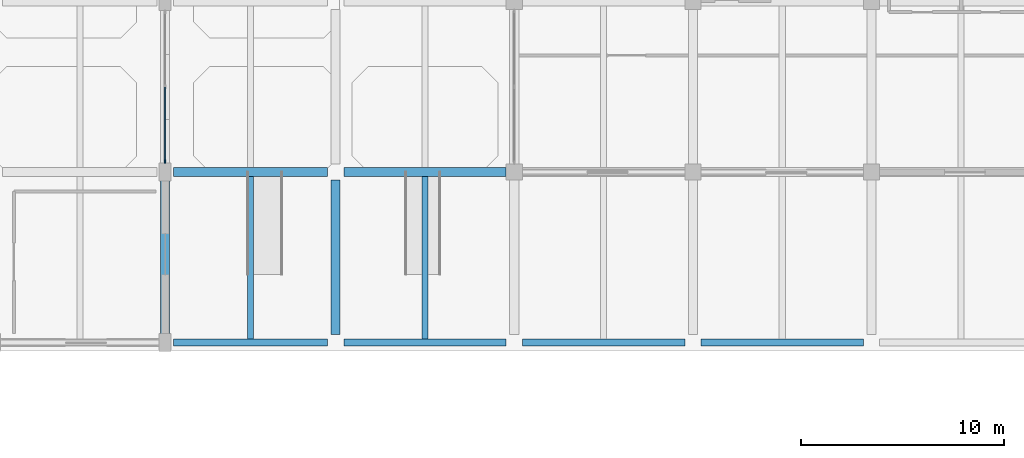
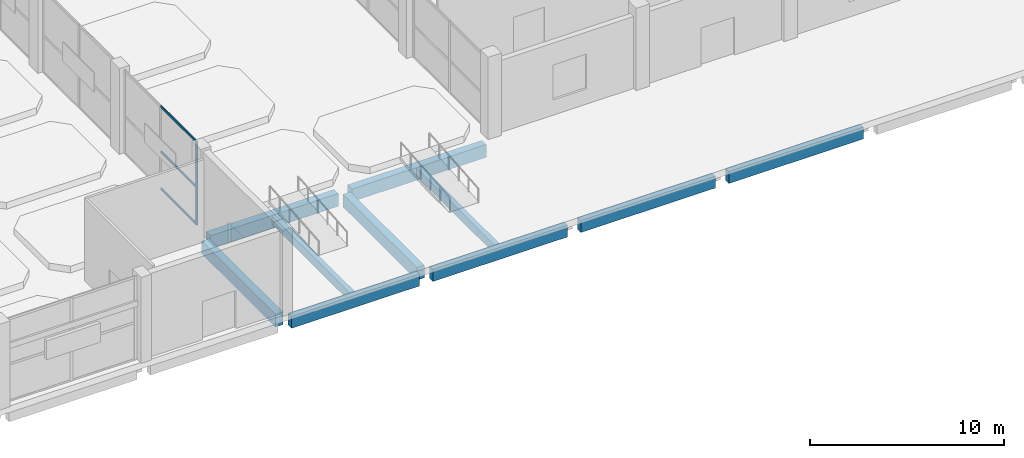
# One storey, part 6 of 34: 10 beams, 4 members, 1 element without a shape of its own.
"""IFC4 building model written with IfcOpenShell, lengths in metres."""

from ifc_helpers import new_model, si_unit, direction, frame, origin, origin_2d, place, context, subcontext, project, spatial, rectangle, extrude, material, material_profile, profile_set, type_object, element, aggregate, save


model = new_model("IFC4")

# Units and contexts
model_context = context("Model", 3, precision=1e-05, world=origin(), true_north=direction((0.0, 1.0)))
body_context = subcontext(model_context, "Body", "Model", "MODEL_VIEW")
ifc_project = project(units=[si_unit("LENGTHUNIT", "METRE"), si_unit("AREAUNIT", "SQUARE_METRE"), si_unit("VOLUMEUNIT", "CUBIC_METRE"), si_unit("PLANEANGLEUNIT", "RADIAN"), si_unit("MASSUNIT", "GRAM", prefix="KILO")], contexts=[model_context])

# Site, building, storey
site_placement = place(None, origin())
site = spatial("IfcSite", under=ifc_project, at=site_placement, CompositionType="ELEMENT")
building_placement = place(site_placement, origin())
building = spatial("IfcBuilding", under=site, at=building_placement, Name="Brinegate Botanical Conservatory", CompositionType="ELEMENT")
storey_placement = place(building_placement, origin())
storey = spatial("IfcBuildingStorey", under=building, at=storey_placement, Name="L01", CompositionType="ELEMENT", Elevation=0.0)

# Beams
ifc_material_1 = material(Name="Concrete C40/50", Category="concrete")
ifc_material_profile_1 = material_profile(ifc_material_1, rectangle(XDim=0.449951171875, YDim=0.800048828125, at=origin_2d()), Name="RC BM 450x800")
ifc_profile_set_1 = profile_set([ifc_material_profile_1], Name="Concrete C40/50")
beam_type_1 = type_object("IfcBeamType", Name="Beam_BM-G1", PredefinedType="BEAM", material=ifc_profile_set_1)
beam_1_placement = place(storey_placement, frame((34.0, 86.800048828125, -0.804931640625), z_axis=(1.0, 0.0, 0.0), x_axis=(0.0, 1.0, 0.0)))
element("IfcBeam", 1, at=beam_1_placement, inside=storey, type_object=beam_type_1, Name="Beam BM-G1 L01 L:5-6", PredefinedType="BEAM", context=body_context, shape_type="SweptSolid", body=[
    extrude(rectangle(XDim=0.449951171875, YDim=0.800048828125, at=origin_2d()), origin(), (0.0, 0.0, 1.0), 7.60009765625),
])
beam_2_placement = place(storey_placement, frame((42.39990234375, 86.800048828125, -0.804931640625), z_axis=(1.0, 0.0, 0.0), x_axis=(0.0, 1.0, 0.0)))
element("IfcBeam", 2, at=beam_2_placement, inside=storey, type_object=beam_type_1, Name="Beam BM-G1 L01 L:6-7", PredefinedType="BEAM", context=body_context, shape_type="SweptSolid", body=[
    extrude(rectangle(XDim=0.449951171875, YDim=0.800048828125, at=origin_2d()), origin(), (0.0, 0.0, 1.0), 8.0),
])
for number, where, z_axis, x_axis, name in (
    (3, (33.60009765625, 78.800048828125, -0.804931640625), (0.0, 1.0, 0.0), (-1.0, 0.0, 0.0), "Beam BM-G1 L01 5:K-L"),
    (4, (42.0, 78.800048828125, -0.804931640625), (0.0, 1.0, 0.0), (-1.0, 0.0, 0.0), "Beam BM-G1 L01 6:K-L"),
):
    element("IfcBeam", number, at=place(storey_placement, frame(where, z_axis=z_axis, x_axis=x_axis)), inside=storey, type_object=beam_type_1, Name=name, PredefinedType="BEAM", context=body_context, shape_type="SweptSolid", body=[
        extrude(rectangle(XDim=0.449951171875, YDim=0.800048828125, at=origin_2d()), origin(), (0.0, 0.0, 1.0), 7.599853515625),
    ])
ifc_material_profile_2 = material_profile(ifc_material_1, rectangle(XDim=0.300048828125, YDim=0.550048828125, at=origin_2d()), Name="RC JST 300x550")
ifc_profile_set_2 = profile_set([ifc_material_profile_2], Name="Concrete C40/50")
beam_type_2 = type_object("IfcBeamType", Name="Beam_JS-C1", PredefinedType="JOIST", material=ifc_profile_set_2)
for number, where, z_axis, x_axis, name in (
    (5, (37.800048828125, 78.574951171875, -0.679931640625), (0.0, 1.0, 0.0), (-1.0, 0.0, 0.0), "Floor joist JS-C1 L01 bay 5.10"),
    (6, (46.39990234375, 78.574951171875, -0.679931640625), (0.0, 1.0, 0.0), (-1.0, 0.0, 0.0), "Floor joist JS-C1 L01 bay 6.10"),
):
    element("IfcBeam", number, at=place(storey_placement, frame(where, z_axis=z_axis, x_axis=x_axis)), inside=storey, type_object=beam_type_2, Name=name, PredefinedType="JOIST", context=body_context, shape_type="SweptSolid", body=[
        extrude(rectangle(XDim=0.300048828125, YDim=0.550048828125, at=origin_2d()), origin(), (0.0, 0.0, 1.0), 8.0),
    ])
ifc_material_profile_3 = material_profile(ifc_material_1, rectangle(XDim=0.35009765625, YDim=0.75, at=origin_2d()), Name="RC SPN 350x750")
ifc_profile_set_3 = profile_set([ifc_material_profile_3], Name="Concrete C40/50")
beam_type_3 = type_object("IfcBeamType", Name="Beam_SP-01", PredefinedType="SPANDREL", material=ifc_profile_set_3)
beam_3_placement = place(storey_placement, frame((34.0, 78.39990234375, -0.780029296875), z_axis=(1.0, 0.0, 0.0), x_axis=(0.0, 1.0, 0.0)))
element("IfcBeam", 7, at=beam_3_placement, inside=storey, type_object=beam_type_3, Name="Beam SP-01 L01 K:5-6", PredefinedType="SPANDREL", context=body_context, shape_type="SweptSolid", body=[
    extrude(rectangle(XDim=0.35009765625, YDim=0.75, at=origin_2d()), origin(), (0.0, 0.0, 1.0), 7.60009765625),
])
for number, where, z_axis, x_axis, name in (
    (8, (42.39990234375, 78.39990234375, -0.780029296875), (1.0, 0.0, 0.0), (0.0, 1.0, 0.0), "Beam SP-01 L01 K:6-7"),
    (9, (51.199951171875, 78.39990234375, -0.780029296875), (1.0, 0.0, 0.0), (0.0, 1.0, 0.0), "Beam SP-01 L01 K:7-8"),
    (10, (60.0, 78.39990234375, -0.780029296875), (1.0, 0.0, 0.0), (0.0, 1.0, 0.0), "Beam SP-01 L01 K:8-9"),
):
    element("IfcBeam", number, at=place(storey_placement, frame(where, z_axis=z_axis, x_axis=x_axis)), inside=storey, type_object=beam_type_3, Name=name, PredefinedType="SPANDREL", context=body_context, shape_type="SweptSolid", body=[
        extrude(rectangle(XDim=0.35009765625, YDim=0.75, at=origin_2d()), origin(), (0.0, 0.0, 1.0), 8.0),
    ])

# Curtain wall, members
ifc_material_2 = material(Name="Thermally broken anodised aluminium AW-6063-T6", Category="aluminium")
curtain_wall_type = type_object("IfcCurtainWallType", Name="CW_CW-V1", PredefinedType="USERDEFINED", material=ifc_material_2)
curtain_wall_placement = place(storey_placement, origin())
curtain_wall = element("IfcCurtainWall", 11, at=curtain_wall_placement, inside=storey, type_object=curtain_wall_type, Name="Conservatory east curtain wall L01.2", ObjectType="FACTORY CURTAIN WALL", PredefinedType="USERDEFINED")
ifc_material_profile_4 = material_profile(ifc_material_2, rectangle(XDim=0.06494140625, YDim=0.179931640625, at=origin_2d()), Name="ALUM MULLION 65x180")
ifc_profile_set_4 = profile_set([ifc_material_profile_4], Name="Thermally broken anodised aluminium AW-6063-T6")
member_type_1 = type_object("IfcMemberType", Name="Member_ML-02", PredefinedType="MULLION", material=ifc_profile_set_4)
member_1_placement = place(storey_placement, frame((33.60009765625, 87.322509765625, 0.0), z_axis=(0.0, 0.0, 1.0), x_axis=(1.0, 0.0, 0.0)))
member_1 = element("IfcMember", 12, at=member_1_placement, type_object=member_type_1, Name="CW-V1 mullion 3", PredefinedType="MULLION", context=body_context, shape_type="SweptSolid", body=[
    extrude(rectangle(XDim=0.06494140625, YDim=0.179931640625, at=origin_2d()), origin(), (0.0, 0.0, 1.0), 5.239990234375),
])
ifc_material_profile_5 = material_profile(ifc_material_2, rectangle(XDim=0.06494140625, YDim=0.135009765625, at=origin_2d()), Name="ALUM TRANSOM 65x135")
ifc_profile_set_5 = profile_set([ifc_material_profile_5], Name="Thermally broken anodised aluminium AW-6063-T6")
member_type_2 = type_object("IfcMemberType", Name="Member_TR-02", PredefinedType="USERDEFINED", material=ifc_profile_set_5)
member_2_placement = place(storey_placement, frame((33.60009765625, 90.967529296875, 0.032470703125), z_axis=(0.0, -1.0, 0.0), x_axis=(1.0, 0.0, 0.0)))
member_2 = element("IfcMember", 13, at=member_2_placement, type_object=member_type_2, Name="CW-V1 transom 2.1", ObjectType="TRANSOM", PredefinedType="USERDEFINED", context=body_context, shape_type="SweptSolid", body=[
    extrude(rectangle(XDim=0.06494140625, YDim=0.135009765625, at=origin_2d()), origin(), (0.0, 0.0, 1.0), 3.612548828125),
])
member_3_placement = place(storey_placement, frame((33.60009765625, 90.967529296875, 2.35791015625), z_axis=(0.0, -1.0, 0.0), x_axis=(1.0, 0.0, 0.0)))
member_3 = element("IfcMember", 14, at=member_3_placement, type_object=member_type_2, Name="CW-V1 transom 2.2", ObjectType="TRANSOM", PredefinedType="USERDEFINED", context=body_context, shape_type="SweptSolid", body=[
    extrude(rectangle(XDim=0.06494140625, YDim=0.135009765625, at=origin_2d()), origin(), (0.0, 0.0, 1.0), 3.612548828125),
])
member_4_placement = place(storey_placement, frame((33.60009765625, 90.967529296875, 5.20751953125), z_axis=(0.0, -1.0, 0.0), x_axis=(1.0, 0.0, 0.0)))
member_4 = element("IfcMember", 15, at=member_4_placement, type_object=member_type_2, Name="CW-V1 transom 2.3", ObjectType="TRANSOM", PredefinedType="USERDEFINED", context=body_context, shape_type="SweptSolid", body=[
    extrude(rectangle(XDim=0.06494140625, YDim=0.135009765625, at=origin_2d()), origin(), (0.0, 0.0, 1.0), 3.612548828125),
])
aggregate(curtain_wall, [member_1, member_2, member_3, member_4])

save(model, "model.ifc")
